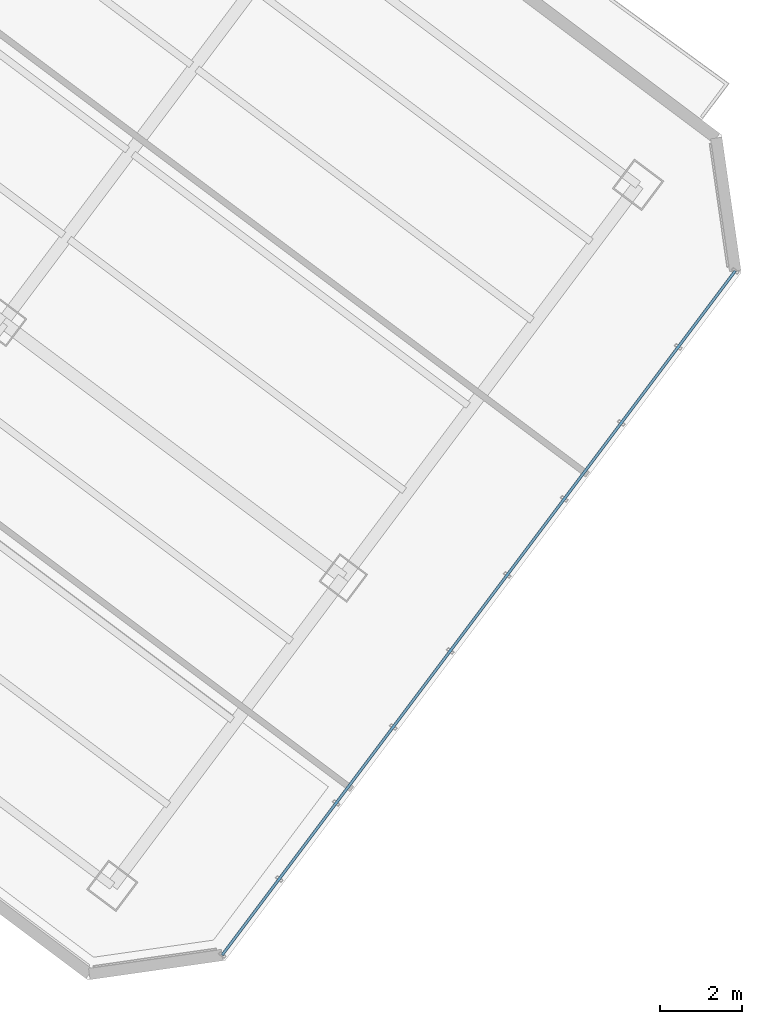
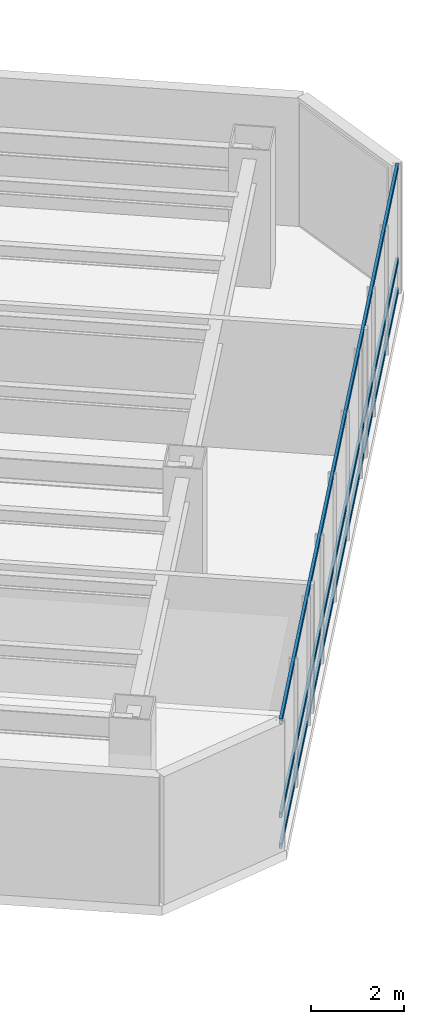
# One storey, part 9 of 29: 3 members, 1 element without a shape of its own.
"""IFC4 building model written with IfcOpenShell, lengths in metres."""

from ifc_helpers import new_model, si_unit, direction, frame, origin, origin_2d, place, context, subcontext, project, spatial, hollow_rectangle, extrude, material, layer, layer_set, material_profile, profile_set, type_object, element, aggregate, save


model = new_model("IFC4")

# Units and contexts
model_context = context("Model", 3, precision=1e-05, world=origin(), true_north=direction((0.0, 1.0)))
body_context = subcontext(model_context, "Body", "Model", "MODEL_VIEW")
ifc_project = project(units=[si_unit("LENGTHUNIT", "METRE"), si_unit("AREAUNIT", "SQUARE_METRE"), si_unit("VOLUMEUNIT", "CUBIC_METRE"), si_unit("PLANEANGLEUNIT", "RADIAN"), si_unit("MASSUNIT", "GRAM", prefix="KILO")], contexts=[model_context])

# Site, building, storey
site_placement = place(None, origin())
site = spatial("IfcSite", under=ifc_project, at=site_placement, CompositionType="ELEMENT")
building_placement = place(site_placement, origin())
building = spatial("IfcBuilding", under=site, at=building_placement, Name="Hatsunagi Terrace Concourse", CompositionType="ELEMENT")
storey_placement = place(building_placement, frame((0.0, 0.0, 119.25)))
storey = spatial("IfcBuildingStorey", under=building, at=storey_placement, Name="L31", CompositionType="ELEMENT", Elevation=119.25)

# Curtain wall, members
ifc_material_1 = material(Name="Anodised Aluminium Alloy 6063-T5", Category="aluminium")
ifc_layer = layer(ifc_material_1, 0.199951171875)
ifc_layer_set = layer_set([ifc_layer], Name="OfficeZone1_CW03")
curtain_wall_type = type_object("IfcCurtainWallType", Name="OfficeZone1_CW03", PredefinedType="NOTDEFINED", material=ifc_layer_set)
curtain_wall_placement = place(storey_placement, origin())
curtain_wall = element("IfcCurtainWall", 1, at=curtain_wall_placement, inside=storey, type_object=curtain_wall_type, Name="Unitised Curtain Wall CW-03 CW-L31-03", PredefinedType="NOTDEFINED")
ifc_material_2 = material(Name="Anodised Aluminium Alloy 6063-T5", Category="aluminium")
ifc_material_profile = material_profile(ifc_material_2, hollow_rectangle(XDim=0.06494140625, YDim=0.139892578125, WallThickness=0.00390625, at=origin_2d()), Name="ALU-TRN-140x65x4")
ifc_profile_set = profile_set([ifc_material_profile], Name="Anodised Aluminium Alloy 6063-T5")
member_type = type_object("IfcMemberType", Name="CurtainWallTransom_140x65", PredefinedType="USERDEFINED", material=ifc_profile_set)
member_1_placement = place(storey_placement, frame((69.093017578125, 19.657958984375, 0.050048828125), z_axis=(-0.599970072971, -0.800022444397, 0.0), x_axis=(0.800022444397, -0.599970072971, 0.0)))
member_1 = element("IfcMember", 2, at=member_1_placement, type_object=member_type, Name="Curtain Wall Transom TRN-02", ObjectType="TRANSOM", PredefinedType="USERDEFINED", context=body_context, shape_type="SweptSolid", body=[
    extrude(hollow_rectangle(XDim=0.06494140625, YDim=0.139892578125, WallThickness=0.00390625, at=origin_2d()), origin(), (0.0, 0.0, 1.0), 20.884521484375),
])
member_2_placement = place(storey_placement, frame((69.093017578125, 19.657958984375, 0.85009765625), z_axis=(-0.599970072971, -0.800022444397, 0.0), x_axis=(0.800022444397, -0.599970072971, 0.0)))
member_2 = element("IfcMember", 3, at=member_2_placement, type_object=member_type, Name="Curtain Wall Transom TRN-02", ObjectType="TRANSOM", PredefinedType="USERDEFINED", context=body_context, shape_type="SweptSolid", body=[
    extrude(hollow_rectangle(XDim=0.06494140625, YDim=0.139892578125, WallThickness=0.00390625, at=origin_2d()), origin(), (0.0, 0.0, 1.0), 20.884521484375),
])
member_3_placement = place(storey_placement, frame((69.093017578125, 19.657958984375, 3.300048828125), z_axis=(-0.599970072971, -0.800022444397, 0.0), x_axis=(0.800022444397, -0.599970072971, 0.0)))
member_3 = element("IfcMember", 4, at=member_3_placement, type_object=member_type, Name="Curtain Wall Transom TRN-02", ObjectType="TRANSOM", PredefinedType="USERDEFINED", context=body_context, shape_type="SweptSolid", body=[
    extrude(hollow_rectangle(XDim=0.06494140625, YDim=0.139892578125, WallThickness=0.00390625, at=origin_2d()), origin(), (0.0, 0.0, 1.0), 20.884521484375),
])
aggregate(curtain_wall, [member_1, member_2, member_3])

save(model, "model.ifc")
